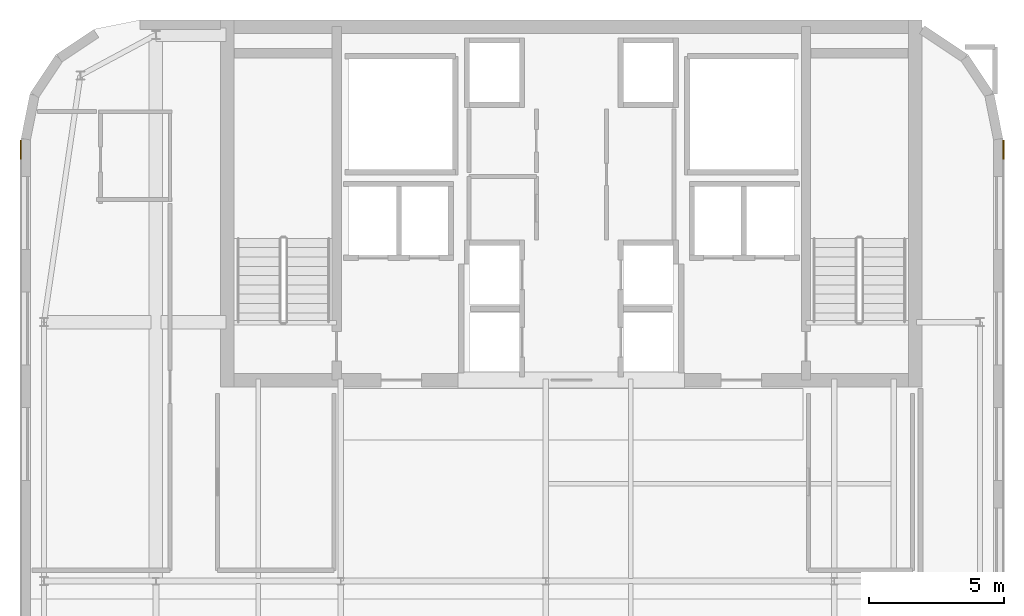
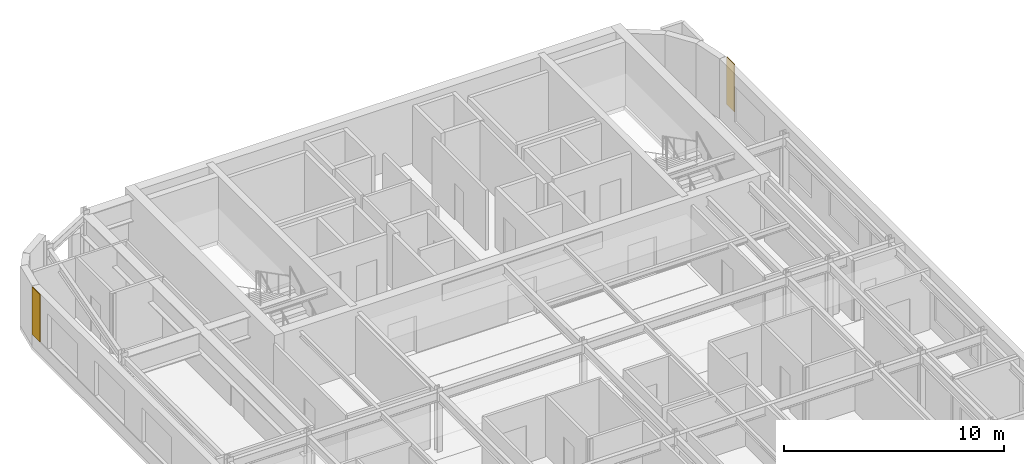
# One storey, part 15 of 15: 2 coverings.
"""IFC4 building model written with IfcOpenShell, lengths in metres."""

from ifc_helpers import new_model, si_unit, direction, frame, origin, place, context, subcontext, project, spatial, polyline, outline, extrude, material, layer, layer_set, type_object, element, save


model = new_model("IFC4")

# Units and contexts
model_context = context("Model", 3, precision=1e-05, world=origin(), true_north=direction((0.0, 1.0)))
body_context = subcontext(model_context, "Body", "Model", "MODEL_VIEW")
ifc_project = project(units=[si_unit("LENGTHUNIT", "METRE"), si_unit("AREAUNIT", "SQUARE_METRE"), si_unit("VOLUMEUNIT", "CUBIC_METRE"), si_unit("PLANEANGLEUNIT", "RADIAN"), si_unit("MASSUNIT", "GRAM", prefix="KILO")], contexts=[model_context])

# Site, building, storey
site_placement = place(None, origin())
site = spatial("IfcSite", under=ifc_project, at=site_placement, CompositionType="ELEMENT")
building_placement = place(site_placement, origin())
building = spatial("IfcBuilding", under=site, at=building_placement, Name="Tolvann Quenvar Hotel", CompositionType="ELEMENT")
storey_placement = place(building_placement, frame((0.0, 0.0, 278.60009765625)))
storey = spatial("IfcBuildingStorey", under=building, at=storey_placement, Name="L74", CompositionType="ELEMENT", Elevation=278.60009765625)

# Coverings
ifc_material = material(Name="Kiln-fired red architectural face brick cladding", Category="masonry")
ifc_layer = layer(ifc_material, 0.0400390625)
ifc_layer_set = layer_set([ifc_layer], Name="Kiln-fired red architectural face brick cladding")
covering_type = type_object("IfcCoveringType", Name="COV_CLAD_BRICK_40", PredefinedType="CLADDING", material=ifc_layer_set)
covering_1_placement = place(storey_placement, frame((0.0, 0.0, 0.699951171875)))
element("IfcCovering", 1, at=covering_1_placement, inside=storey, type_object=covering_type, Name="Brick Pier Cladding (L74-E09-P2)", PredefinedType="CLADDING", context=body_context, shape_type="SweptSolid", body=[
    extrude(outline(polyline([(39.0, 40.03271484375), (39.0, 40.73291015625), (39.0400390625, 40.73291015625), (39.0400390625, 40.03271484375), (39.0, 40.03271484375)])), origin(), (0.0, 0.0, 1.0), 2.6298828125),
])
covering_2_placement = place(storey_placement, frame((0.0, 0.0, 0.699951171875)))
element("IfcCovering", 2, at=covering_2_placement, inside=storey, type_object=covering_type, Name="Brick Pier Cladding (L74-E19-P1)", PredefinedType="CLADDING", context=body_context, shape_type="SweptSolid", body=[
    extrude(outline(polyline([(2.60009765625, 40.73291015625), (2.60009765625, 40.03271484375), (2.56005859375, 40.03271484375), (2.56005859375, 40.73291015625), (2.60009765625, 40.73291015625)])), origin(), (0.0, 0.0, 1.0), 2.6298828125),
])

save(model, "model.ifc")
